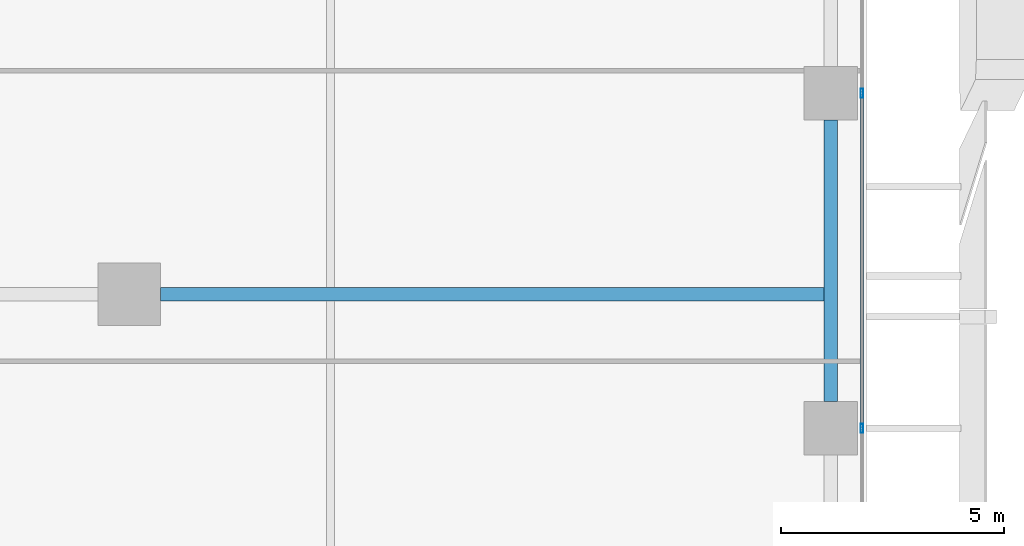
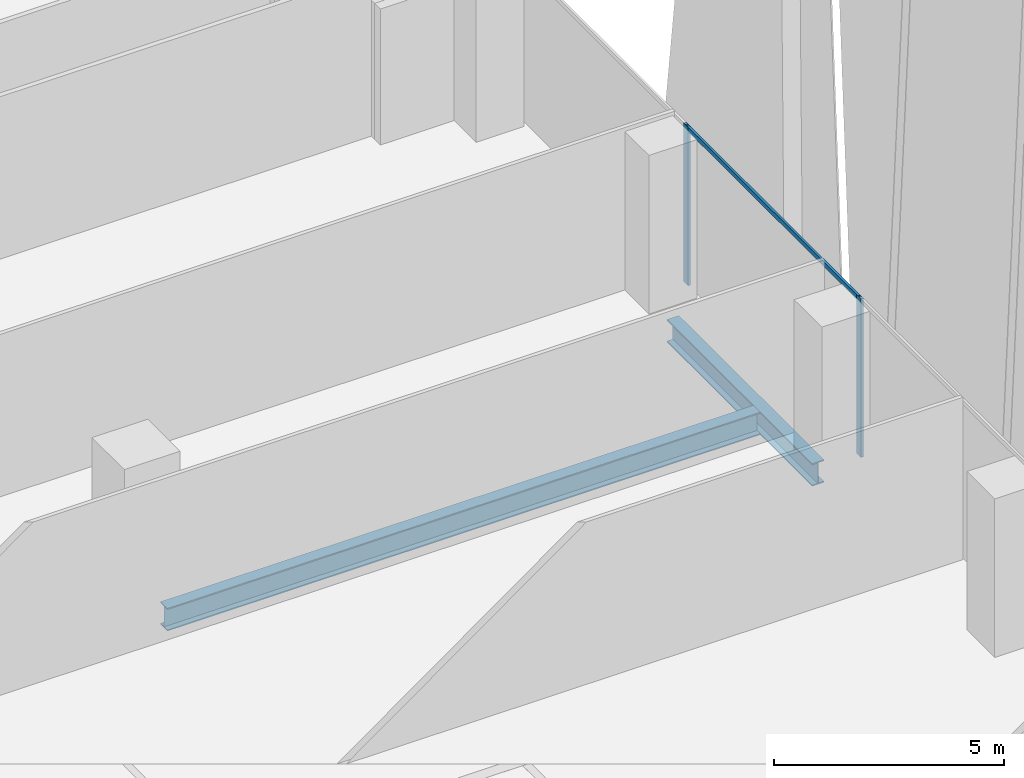
# One storey, part 13 of 37: 3 members, 2 beams, 1 element without a shape of its own.
"""IFC4 building model written with IfcOpenShell, lengths in metres."""

from ifc_helpers import new_model, si_unit, direction, frame, origin, origin_2d, place, context, subcontext, project, spatial, hollow_rectangle, i_section, extrude, source, transform, mapped, material, material_profile, profile_set, type_object, element, aggregate, save


model = new_model("IFC4")

# Units and contexts
model_context = context("Model", 3, precision=1e-05, world=origin(), true_north=direction((0.0, 1.0)))
body_context = subcontext(model_context, "Body", "Model", "MODEL_VIEW")
ifc_project = project(units=[si_unit("LENGTHUNIT", "METRE"), si_unit("AREAUNIT", "SQUARE_METRE"), si_unit("VOLUMEUNIT", "CUBIC_METRE"), si_unit("PLANEANGLEUNIT", "RADIAN"), si_unit("MASSUNIT", "GRAM", prefix="KILO")], contexts=[model_context])

# Site, building, storey
site_placement = place(None, origin())
site = spatial("IfcSite", under=ifc_project, at=site_placement, CompositionType="ELEMENT")
building_placement = place(site_placement, origin())
building = spatial("IfcBuilding", under=site, at=building_placement, Name="Khomas Fold Tower", CompositionType="ELEMENT")
storey_placement = place(building_placement, frame((0.0, 0.0, 60.0)))
storey = spatial("IfcBuildingStorey", under=building, at=storey_placement, Name="L12", CompositionType="ELEMENT", Elevation=60.0)

# Beams
ifc_material_1 = material(Name="Steel S355", Category="steel")
ifc_material_profile_1 = material_profile(ifc_material_1, i_section(OverallWidth=0.300048828125, OverallDepth=0.60009765625, WebThickness=0.015380859375, FlangeThickness=0.030029296875, at=origin_2d()), Name="HE 600 B")
ifc_profile_set_1 = profile_set([ifc_material_profile_1], Name="Steel S355")
beam_type_1 = type_object("IfcBeamType", Name="HE 600 B spandrel SB1", PredefinedType="SPANDREL", material=ifc_profile_set_1)
shared_shape_1 = source(origin(), body_context, "Body", "SweptSolid", [
    extrude(i_section(OverallWidth=0.300048828125, OverallDepth=0.60009765625, WebThickness=0.015380859375, FlangeThickness=0.030029296875, at=origin_2d()), origin(), (0.0, 0.0, 1.0), 6.2998046875),
])
beam_1_placement = place(storey_placement, frame((53.199951171875, 20.10009765625, -0.60009765625), z_axis=(0.0, 1.0, 0.0), x_axis=(-1.0, 0.0, 0.0)))
element("IfcBeam", 1, at=beam_1_placement, inside=storey, type_object=beam_type_1, Name="SB1", PredefinedType="SPANDREL", context=body_context, shape_type="MappedRepresentation", body=[
    mapped(shared_shape_1, transform((0.0, 0.0, 0.0))),
])
ifc_material_2 = material(Name="Steel S355", Category="steel")
ifc_material_profile_2 = material_profile(ifc_material_2, i_section(OverallWidth=0.300048828125, OverallDepth=0.60009765625, WebThickness=0.015380859375, FlangeThickness=0.030029296875, at=origin_2d()), Name="HE 600 B")
ifc_profile_set_2 = profile_set([ifc_material_profile_2], Name="Steel S355")
beam_type_2 = type_object("IfcBeamType", Name="HE 600 B beam GB5", PredefinedType="BEAM", material=ifc_profile_set_2)
shared_shape_2 = source(origin(), body_context, "Body", "SweptSolid", [
    extrude(i_section(OverallWidth=0.300048828125, OverallDepth=0.60009765625, WebThickness=0.015380859375, FlangeThickness=0.030029296875, at=origin_2d()), origin(), (0.0, 0.0, 1.0), 14.85009765625),
])
beam_2_placement = place(storey_placement, frame((38.199951171875, 22.5, -0.60009765625), z_axis=(1.0, 0.0, 0.0), x_axis=(0.0, 1.0, 0.0)))
element("IfcBeam", 2, at=beam_2_placement, inside=storey, type_object=beam_type_2, Name="GB5", PredefinedType="BEAM", context=body_context, shape_type="MappedRepresentation", body=[
    mapped(shared_shape_2, transform((0.0, 0.0, 0.0))),
])

# Curtain wall, members
ifc_material_3 = material(Name="Aluminium framed double glazing", Category="aluminium")
curtain_wall_type = type_object("IfcCurtainWallType", Name="SK-Unitised clear-glass wall, growing floors CW1", PredefinedType="NOTDEFINED", material=ifc_material_3)
curtain_wall_placement = place(storey_placement, origin())
curtain_wall = element("IfcCurtainWall", 3, at=curtain_wall_placement, inside=storey, type_object=curtain_wall_type, Name="CW1 run L12 03-0", PredefinedType="NOTDEFINED")
ifc_material_4 = material(Name="Aluminium", Category="aluminium")
ifc_material_profile_3 = material_profile(ifc_material_4, hollow_rectangle(XDim=0.06005859375, YDim=0.1201171875, WallThickness=0.00390625, at=origin_2d()), Name="SK-Unitised clear-glass wall, growing floors transom CW1-T")
ifc_profile_set_3 = profile_set([ifc_material_profile_3], Name="Aluminium")
member_type_1 = type_object("IfcMemberType", Name="SK-Unitised clear-glass wall, growing floors transom CW1-T", PredefinedType="USERDEFINED", material=ifc_profile_set_3)
shared_shape_3 = source(origin(), body_context, "Body", "SweptSolid", [
    extrude(hollow_rectangle(XDim=0.06005859375, YDim=0.1201171875, WallThickness=0.00390625, at=origin_2d()), origin(), (0.0, 0.0, 1.0), 7.43994140625),
])
member_1_placement = place(storey_placement, frame((53.89990234375, 19.530029296875, 4.139892578125), z_axis=(0.0, 1.0, 0.0), x_axis=(-1.0, 0.0, 0.0)))
member_1 = element("IfcMember", 4, at=member_1_placement, type_object=member_type_1, Name="CW1 transom 4", ObjectType="TRANSOM", PredefinedType="USERDEFINED", context=body_context, shape_type="MappedRepresentation", body=[
    mapped(shared_shape_3, transform((0.0, 0.0, 0.0))),
])
ifc_material_5 = material(Name="Aluminium", Category="aluminium")
ifc_material_profile_4 = material_profile(ifc_material_5, hollow_rectangle(XDim=0.06005859375, YDim=0.199951171875, WallThickness=0.00390625, at=origin_2d()), Name="SK-Unitised clear-glass wall, growing floors mullion CW1-M")
ifc_profile_set_4 = profile_set([ifc_material_profile_4], Name="Aluminium")
member_type_2 = type_object("IfcMemberType", Name="SK-Unitised clear-glass wall, growing floors mullion CW1-M", PredefinedType="MULLION", material=ifc_profile_set_4)
shared_shape_4 = source(origin(), body_context, "Body", "SweptSolid", [
    extrude(hollow_rectangle(XDim=0.06005859375, YDim=0.199951171875, WallThickness=0.00390625, at=origin_2d()), origin(), (0.0, 0.0, 1.0), 4.199951171875),
])
member_2_placement = place(storey_placement, frame((53.89990234375, 19.5, 0.0), z_axis=(0.0, 0.0, 1.0), x_axis=(-1.0, 0.0, 0.0)))
member_2 = element("IfcMember", 5, at=member_2_placement, type_object=member_type_2, Name="CW1 mullion 4", PredefinedType="MULLION", context=body_context, shape_type="MappedRepresentation", body=[
    mapped(shared_shape_4, transform((0.0, 0.0, 0.0))),
])
member_3_placement = place(storey_placement, frame((53.89990234375, 27.0, 0.0), z_axis=(0.0, 0.0, 1.0), x_axis=(-1.0, 0.0, 0.0)))
member_3 = element("IfcMember", 6, at=member_3_placement, type_object=member_type_2, Name="CW1 mullion 5", PredefinedType="MULLION", context=body_context, shape_type="MappedRepresentation", body=[
    mapped(shared_shape_4, transform((0.0, 0.0, 0.0))),
])
aggregate(curtain_wall, [member_2, member_3, member_1])

save(model, "model.ifc")
